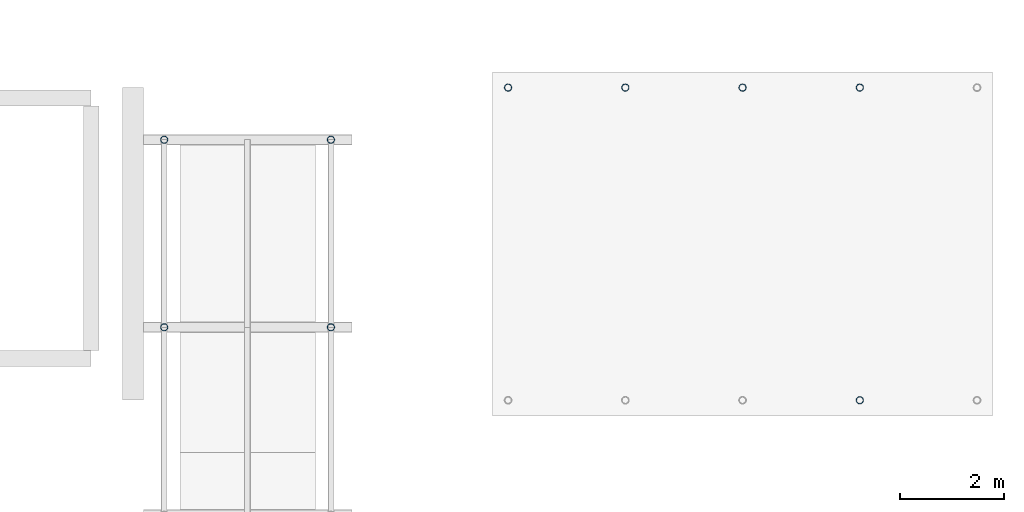
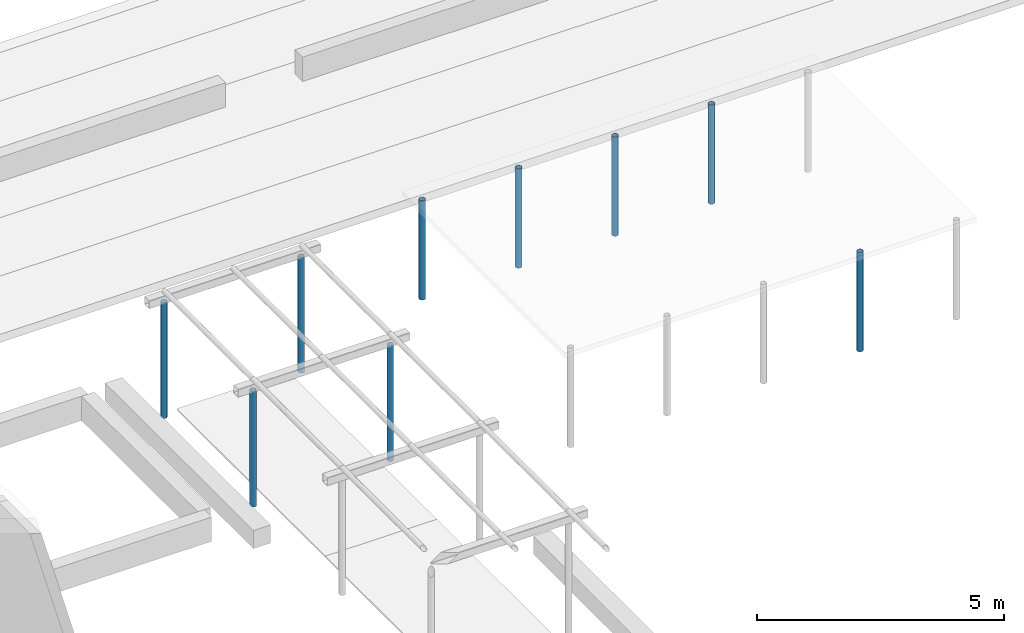
# One storey, part 9 of 71: 9 columns.
"""IFC4 building model written with IfcOpenShell, lengths in metres."""

from ifc_helpers import new_model, si_unit, direction, frame, origin, origin_2d, place, context, subcontext, project, spatial, hollow_circle, extrude, material, material_profile, profile_set, type_object, element, save


model = new_model("IFC4")

# Units and contexts
model_context = context("Model", 3, precision=1e-05, world=origin(), true_north=direction((0.0, 1.0)))
body_context = subcontext(model_context, "Body", "Model", "MODEL_VIEW")
ifc_project = project(units=[si_unit("LENGTHUNIT", "METRE"), si_unit("AREAUNIT", "SQUARE_METRE"), si_unit("VOLUMEUNIT", "CUBIC_METRE"), si_unit("PLANEANGLEUNIT", "RADIAN"), si_unit("MASSUNIT", "GRAM", prefix="KILO")], contexts=[model_context])

# Site, building, storey
site_placement = place(None, origin())
site = spatial("IfcSite", under=ifc_project, at=site_placement, CompositionType="ELEMENT")
building_placement = place(site_placement, origin())
building = spatial("IfcBuilding", under=site, at=building_placement, Name="Basin Gate Institute", CompositionType="ELEMENT")
storey_placement = place(building_placement, origin())
storey = spatial("IfcBuildingStorey", under=building, at=storey_placement, Name="L00", CompositionType="ELEMENT", Elevation=0.0)

# Columns
ifc_material = material(Name="Structural steel SN490", Category="steel")
ifc_material_profile = material_profile(ifc_material, hollow_circle(Radius=0.06982421875, WallThickness=0.006103515625, at=origin_2d()), Name="CHS139x6")
ifc_profile_set = profile_set([ifc_material_profile], Name="Structural steel SN490")
column_type = type_object("IfcColumnType", Name="Court steel TD4 Column column", PredefinedType="COLUMN", material=ifc_profile_set)
for number, where, z_axis, x_axis, name in (
    (1, (40.39990234375, 100.39990234375, -0.050048828125), (0.0, 0.0, 1.0), (1.0, 0.0, 0.0), "Laboratory Garden pergola post"),
    (2, (43.60009765625, 100.39990234375, -0.050048828125), (0.0, 0.0, 1.0), (1.0, 0.0, 0.0), "Laboratory Garden pergola post"),
    (3, (40.39990234375, 104.0, -0.050048828125), (0.0, 0.0, 1.0), (1.0, 0.0, 0.0), "Laboratory Garden pergola post"),
    (4, (43.60009765625, 104.0, -0.050048828125), (0.0, 0.0, 1.0), (1.0, 0.0, 0.0), "Laboratory Garden pergola post"),
):
    element("IfcColumn", number, at=place(storey_placement, frame(where, z_axis=z_axis, x_axis=x_axis)), inside=storey, type_object=column_type, material=ifc_profile_set, Name=name, PredefinedType="COLUMN", context=body_context, shape_type="SweptSolid", body=[
        extrude(hollow_circle(Radius=0.06982421875, WallThickness=0.006103515625, at=origin_2d()), origin(), (0.0, 0.0, 1.0), 2.85009765625),
    ])
for number, where, z_axis, x_axis, name in (
    (5, (53.75, 99.0, -0.050048828125), (0.0, 0.0, 1.0), (1.0, 0.0, 0.0), "Laboratory Garden cycle store post"),
    (6, (47.0, 105.0, -0.050048828125), (0.0, 0.0, 1.0), (1.0, 0.0, 0.0), "Laboratory Garden cycle store post"),
    (7, (49.25, 105.0, -0.050048828125), (0.0, 0.0, 1.0), (1.0, 0.0, 0.0), "Laboratory Garden cycle store post"),
    (8, (51.5, 105.0, -0.050048828125), (0.0, 0.0, 1.0), (1.0, 0.0, 0.0), "Laboratory Garden cycle store post"),
    (9, (53.75, 105.0, -0.050048828125), (0.0, 0.0, 1.0), (1.0, 0.0, 0.0), "Laboratory Garden cycle store post"),
):
    element("IfcColumn", number, at=place(storey_placement, frame(where, z_axis=z_axis, x_axis=x_axis)), inside=storey, type_object=column_type, material=ifc_profile_set, Name=name, PredefinedType="COLUMN", context=body_context, shape_type="SweptSolid", body=[
        extrude(hollow_circle(Radius=0.06982421875, WallThickness=0.006103515625, at=origin_2d()), origin(), (0.0, 0.0, 1.0), 2.449951171875),
    ])

save(model, "model.ifc")
